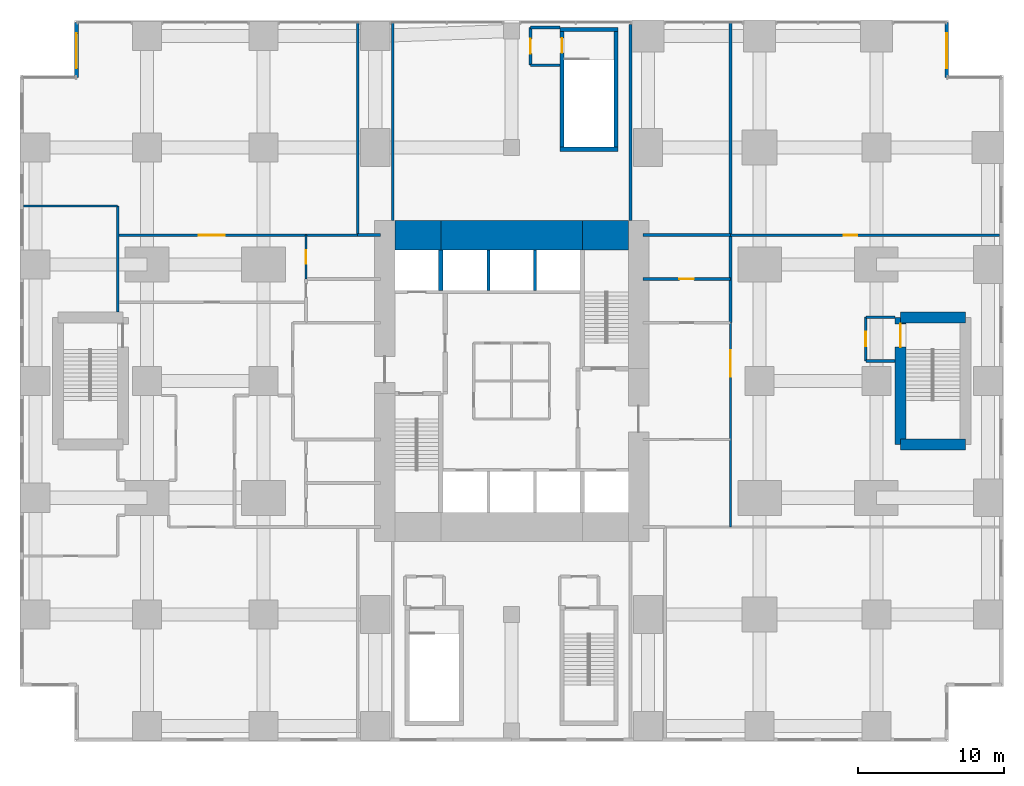
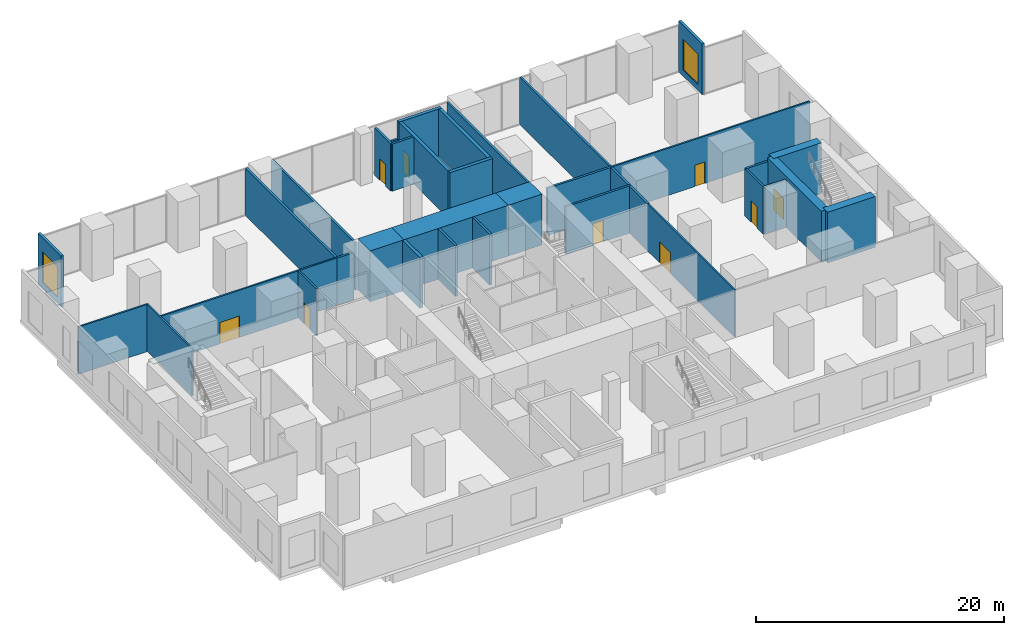
# One storey, part 9 of 11: 34 walls, 9 doors, 2 windows, 11 openings.
"""IFC4 building model written with IfcOpenShell, lengths in metres."""

from ifc_helpers import new_model, si_unit, direction, frame, frame_2d, origin, place, context, subcontext, project, spatial, rectangle, extrude, material, layer, layer_set, type_object, element, fill, save


model = new_model("IFC4")

# Units and contexts
model_context = context("Model", 3, precision=1e-05, world=origin(), true_north=direction((0.0, 1.0)))
body_context = subcontext(model_context, "Body", "Model", "MODEL_VIEW")
ifc_project = project(units=[si_unit("LENGTHUNIT", "METRE"), si_unit("AREAUNIT", "SQUARE_METRE"), si_unit("VOLUMEUNIT", "CUBIC_METRE"), si_unit("PLANEANGLEUNIT", "RADIAN"), si_unit("MASSUNIT", "GRAM", prefix="KILO")], contexts=[model_context])

# Site, building, storey
site_placement = place(None, origin())
site = spatial("IfcSite", under=ifc_project, at=site_placement, CompositionType="ELEMENT")
building_placement = place(site_placement, origin())
building = spatial("IfcBuilding", under=site, at=building_placement, Name="Cleftline Residences", CompositionType="ELEMENT")
storey_placement = place(building_placement, frame((0.0, 0.0, 21.0)))
storey = spatial("IfcBuildingStorey", under=building, at=storey_placement, Name="L04", CompositionType="ELEMENT", Elevation=21.0)

# Walls
ifc_material_1 = material(Name="Concrete B70", Category="concrete")
ifc_layer_1 = layer(ifc_material_1, 2.0)
ifc_layer_set_1 = layer_set([ifc_layer_1], Name="CORE WALL 2000")
wall_type_1 = type_object("IfcWallType", Name="CORE WALL 2000", PredefinedType="SHEAR", material=ifc_layer_set_1)
wall_1_placement = place(storey_placement, frame((25.0, 34.0, 0.0), z_axis=(0.0, 0.0, 1.0), x_axis=(1.0, 0.0, 0.0)))
element("IfcWall", 1, at=wall_1_placement, inside=storey, type_object=wall_type_1, Name="Core wall N1", PredefinedType="SHEAR", context=body_context, shape_type="SweptSolid", body=[
    extrude(rectangle(XDim=3.14990234375, YDim=2.0, at=frame_2d((1.574951171875, 0.0))), origin(), (0.0, 0.0, 1.0), 5.0),
])
wall_2_placement = place(storey_placement, frame((28.14990234375, 34.0, 0.0), z_axis=(0.0, 0.0, 1.0), x_axis=(1.0, 0.0, 0.0)))
element("IfcWall", 2, at=wall_2_placement, inside=storey, type_object=wall_type_1, Name="Core wall N2", PredefinedType="SHEAR", context=body_context, shape_type="SweptSolid", body=[
    extrude(rectangle(XDim=9.7001953125, YDim=2.0, at=frame_2d((4.85009765625, 0.0))), origin(), (0.0, 0.0, 1.0), 5.0),
])
wall_3_placement = place(storey_placement, frame((37.85009765625, 34.0, 0.0), z_axis=(0.0, 0.0, 1.0), x_axis=(1.0, 0.0, 0.0)))
element("IfcWall", 3, at=wall_3_placement, inside=storey, type_object=wall_type_1, Name="Core wall N3", PredefinedType="SHEAR", context=body_context, shape_type="SweptSolid", body=[
    extrude(rectangle(XDim=3.14990234375, YDim=2.0, at=frame_2d((1.574951171875, 0.0))), origin(), (0.0, 0.0, 1.0), 5.0),
])
ifc_material_2 = material(Name="Concrete B70", Category="concrete")
ifc_layer_2 = layer(ifc_material_2, 0.300048828125)
ifc_layer_set_2 = layer_set([ifc_layer_2], Name="CORE WALL 300")
wall_type_2 = type_object("IfcWallType", Name="CORE WALL 300", PredefinedType="SHEAR", material=ifc_layer_set_2)
wall_4_placement = place(storey_placement, frame((28.14990234375, 30.199951171875, 0.0), z_axis=(0.0, 0.0, 1.0), x_axis=(0.0, 1.0, 0.0)))
element("IfcWall", 4, at=wall_4_placement, inside=storey, type_object=wall_type_2, Name="Lift shaft wall", PredefinedType="SHEAR", context=body_context, shape_type="SweptSolid", body=[
    extrude(rectangle(XDim=2.800048828125, YDim=0.300048828125, at=frame_2d((1.39990234375, 0.0))), origin(), (0.0, 0.0, 1.0), 5.0),
])

# Wall, opening, window
ifc_material_3 = material(Name="Rendered reinforced concrete blockwork", Category="masonry")
ifc_layer_3 = layer(ifc_material_3, 0.25)
ifc_layer_set_3 = layer_set([ifc_layer_3], Name="EXTERNAL WALL 250")
wall_type_3 = type_object("IfcWallType", Name="EXTERNAL WALL 250", PredefinedType="SOLIDWALL", material=ifc_layer_set_3)
wall_5_placement = place(storey_placement, frame((62.824951171875, 44.824951171875, 0.0), z_axis=(0.0, 0.0, 1.0), x_axis=(0.0, 1.0, 0.0)))
wall_5 = element("IfcWall", 5, at=wall_5_placement, inside=storey, type_object=wall_type_3, Name="External wall", PredefinedType="SOLIDWALL", context=body_context, shape_type="SweptSolid", body=[
    extrude(rectangle(XDim=3.75, YDim=0.25, at=frame_2d((1.875, 0.0))), origin(), (0.0, 0.0, 1.0), 5.0),
])
opening_1_placement = place(wall_5_placement, frame((0.612548828125, 0.0, 0.60009765625)))
opening_1 = element("IfcOpeningElement", 6, at=opening_1_placement, cuts=wall_5, Name="Opening W3", PredefinedType="OPENING", context=body_context, shape_type="SweptSolid", body=[
    extrude(rectangle(XDim=2.39990234375, YDim=3.0, at=frame_2d((1.199951171875, 1.5))), frame((0.0, 0.135009765625, 0.0), z_axis=(0.0, -1.0, 0.0), x_axis=(1.0, 0.0, 0.0)), (0.0, 0.0, 1.0), 0.27001953125),
])
ifc_material_4 = material(Name="Aluminium frame, clear double glazing", Category="aluminium")
window_type = type_object("IfcWindowType", Name="WINDOW 2400X3000", PartitioningType="DOUBLE_PANEL_VERTICAL", PredefinedType="WINDOW", material=ifc_material_4)
window_1_placement = place(opening_1_placement, origin())
window_1 = element("IfcWindow", 7, at=window_1_placement, inside=storey, type_object=window_type, Name="Window", OverallHeight=3.0, OverallWidth=2.39990234375, PartitioningType="SINGLE_PANEL", PredefinedType="WINDOW", context=body_context, shape_type="SweptSolid", body=[
    extrude(rectangle(XDim=2.39990234375, YDim=3.0, at=frame_2d((1.199951171875, 1.5))), frame((0.0, 0.030029296875, 0.0), z_axis=(0.0, -1.0, 0.0), x_axis=(1.0, 0.0, 0.0)), (0.0, 0.0, 1.0), 0.06005859375),
])
fill(opening_1, window_1)

wall_6_placement = place(storey_placement, frame((3.175048828125, 48.574951171875, 0.0), z_axis=(0.0, 0.0, 1.0), x_axis=(0.0, -1.0, 0.0)))
wall_6 = element("IfcWall", 8, at=wall_6_placement, inside=storey, type_object=wall_type_3, Name="External wall", PredefinedType="SOLIDWALL", context=body_context, shape_type="SweptSolid", body=[
    extrude(rectangle(XDim=3.75, YDim=0.25, at=frame_2d((1.875, 0.0))), origin(), (0.0, 0.0, 1.0), 5.0),
])
opening_2_placement = place(wall_6_placement, frame((0.737548828125, 0.0, 0.60009765625)))
opening_2 = element("IfcOpeningElement", 9, at=opening_2_placement, cuts=wall_6, Name="Opening W3", PredefinedType="OPENING", context=body_context, shape_type="SweptSolid", body=[
    extrude(rectangle(XDim=2.39990234375, YDim=3.0, at=frame_2d((1.199951171875, 1.5))), frame((0.0, 0.135009765625, 0.0), z_axis=(0.0, -1.0, 0.0), x_axis=(1.0, 0.0, 0.0)), (0.0, 0.0, 1.0), 0.27001953125),
])
window_2_placement = place(opening_2_placement, origin())
window_2 = element("IfcWindow", 10, at=window_2_placement, inside=storey, type_object=window_type, Name="Window", OverallHeight=3.0, OverallWidth=2.39990234375, PartitioningType="SINGLE_PANEL", PredefinedType="WINDOW", context=body_context, shape_type="SweptSolid", body=[
    extrude(rectangle(XDim=2.39990234375, YDim=3.0, at=frame_2d((1.199951171875, 1.5))), frame((0.0, 0.030029296875, 0.0), z_axis=(0.0, -1.0, 0.0), x_axis=(1.0, 0.0, 0.0)), (0.0, 0.0, 1.0), 0.06005859375),
])
fill(opening_2, window_2)

# Walls
ifc_material_5 = material(Name="Concrete blockwork, fire rated", Category="masonry")
ifc_layer_4 = layer(ifc_material_5, 0.199951171875)
ifc_layer_set_4 = layer_set([ifc_layer_4], Name="FIRE WALL 200")
wall_type_4 = type_object("IfcWallType", Name="FIRE WALL 200", PredefinedType="PARTITIONING", material=ifc_layer_set_4)
for number, where, z_axis, x_axis, name in (
    (11, (57.27490234375, 25.375, 0.0), (0.0, 0.0, 1.0), (1.0, 0.0, 0.0), "Fire separating wall"),
    (12, (57.27490234375, 28.375, 0.0), (0.0, 0.0, 1.0), (1.0, 0.0, 0.0), "Fire separating wall"),
):
    element("IfcWall", number, at=place(storey_placement, frame(where, z_axis=z_axis, x_axis=x_axis)), inside=storey, type_object=wall_type_4, Name=name, PredefinedType="PARTITIONING", context=body_context, shape_type="SweptSolid", body=[
        extrude(rectangle(XDim=2.0, YDim=0.199951171875, at=frame_2d((1.0, 0.0))), origin(), (0.0, 0.0, 1.0), 4.64990234375),
    ])

# Wall, opening, door
wall_7_placement = place(storey_placement, frame((42.0, 31.0, 0.0), z_axis=(0.0, 0.0, 1.0), x_axis=(1.0, 0.0, 0.0)))
wall_7 = element("IfcWall", 13, at=wall_7_placement, inside=storey, type_object=wall_type_4, Name="Fire separating wall", PredefinedType="PARTITIONING", context=body_context, shape_type="SweptSolid", body=[
    extrude(rectangle(XDim=6.0, YDim=0.199951171875, at=frame_2d((3.0, 0.0))), origin(), (0.0, 0.0, 1.0), 4.64990234375),
])
opening_3_placement = place(wall_7_placement, frame((2.5, 0.0, 0.0)))
opening_3 = element("IfcOpeningElement", 14, at=opening_3_placement, cuts=wall_7, Name="Opening D2F60", PredefinedType="OPENING", context=body_context, shape_type="SweptSolid", body=[
    extrude(rectangle(XDim=1.0, YDim=2.10009765625, at=frame_2d((0.5, 1.050048828125))), frame((0.0, 0.10986328125, 0.0), z_axis=(0.0, -1.0, 0.0), x_axis=(1.0, 0.0, 0.0)), (0.0, 0.0, 1.0), 0.219970703125),
])
ifc_material_6 = material(Name="Timber veneer on solid core", Category="wood")
door_type_1 = type_object("IfcDoorType", Name="DOOR 1000X2100 EI 60", OperationType="SINGLE_SWING_LEFT", PredefinedType="DOOR", material=ifc_material_6)
door_1_placement = place(opening_3_placement, origin())
door_1 = element("IfcDoor", 15, at=door_1_placement, inside=storey, type_object=door_type_1, Name="Door to plant room", OperationType="SINGLE_SWING_LEFT", OverallHeight=2.10009765625, OverallWidth=1.0, PredefinedType="DOOR", context=body_context, shape_type="SweptSolid", body=[
    extrude(rectangle(XDim=1.0, YDim=2.10009765625, at=frame_2d((0.5, 1.050048828125))), frame((0.0, 0.02490234375, 0.0), z_axis=(0.0, -1.0, 0.0), x_axis=(1.0, 0.0, 0.0)), (0.0, 0.0, 1.0), 0.050048828125),
])
fill(opening_3, door_1)

# Walls
wall_8_placement = place(storey_placement, frame((22.449951171875, 34.0, 0.0), z_axis=(0.0, 0.0, 1.0), x_axis=(1.0, 0.0, 0.0)))
element("IfcWall", 16, at=wall_8_placement, inside=storey, type_object=wall_type_4, Name="Fire separating wall", PredefinedType="PARTITIONING", context=body_context, shape_type="SweptSolid", body=[
    extrude(rectangle(XDim=1.550048828125, YDim=0.199951171875, at=frame_2d((0.77490234375, 0.0))), origin(), (0.0, 0.0, 1.0), 4.64990234375),
])
wall_9_placement = place(storey_placement, frame((42.0, 34.0, 0.0), z_axis=(0.0, 0.0, 1.0), x_axis=(1.0, 0.0, 0.0)))
element("IfcWall", 17, at=wall_9_placement, inside=storey, type_object=wall_type_4, Name="Fire separating wall", PredefinedType="PARTITIONING", context=body_context, shape_type="SweptSolid", body=[
    extrude(rectangle(XDim=6.0, YDim=0.199951171875, at=frame_2d((3.0, 0.0))), origin(), (0.0, 0.0, 1.0), 4.64990234375),
])
wall_10_placement = place(storey_placement, frame((34.300048828125, 45.64990234375, 0.0), z_axis=(0.0, 0.0, 1.0), x_axis=(1.0, 0.0, 0.0)))
element("IfcWall", 18, at=wall_10_placement, inside=storey, type_object=wall_type_4, Name="Fire separating wall", PredefinedType="PARTITIONING", context=body_context, shape_type="SweptSolid", body=[
    extrude(rectangle(XDim=2.0, YDim=0.199951171875, at=frame_2d((1.0, 0.0))), origin(), (0.0, 0.0, 1.0), 4.64990234375),
])
wall_11_placement = place(storey_placement, frame((34.300048828125, 48.25, 0.0), z_axis=(0.0, 0.0, 1.0), x_axis=(1.0, 0.0, 0.0)))
element("IfcWall", 19, at=wall_11_placement, inside=storey, type_object=wall_type_4, Name="Fire separating wall", PredefinedType="PARTITIONING", context=body_context, shape_type="SweptSolid", body=[
    extrude(rectangle(XDim=2.0, YDim=0.199951171875, at=frame_2d((1.0, 0.0))), origin(), (0.0, 0.0, 1.0), 2.85009765625),
])
wall_12_placement = place(storey_placement, frame((22.449951171875, 34.0, 0.0), z_axis=(0.0, 0.0, 1.0), x_axis=(0.0, 1.0, 0.0)))
element("IfcWall", 20, at=wall_12_placement, inside=storey, type_object=wall_type_4, Name="Fire separating wall", PredefinedType="PARTITIONING", context=body_context, shape_type="SweptSolid", body=[
    extrude(rectangle(XDim=14.56103515625, YDim=0.199951171875, at=frame_2d((7.280517578125, 0.0))), origin(), (0.0, 0.0, 1.0), 4.64990234375),
])
wall_13_placement = place(storey_placement, frame((24.85009765625, 35.0, 0.0), z_axis=(0.0, 0.0, 1.0), x_axis=(0.0, 1.0, 0.0)))
element("IfcWall", 21, at=wall_13_placement, inside=storey, type_object=wall_type_4, Name="Fire separating wall", PredefinedType="PARTITIONING", context=body_context, shape_type="SweptSolid", body=[
    extrude(rectangle(XDim=13.56103515625, YDim=0.199951171875, at=frame_2d((6.780517578125, 0.0))), origin(), (0.0, 0.0, 1.0), 4.64990234375),
])

# Wall, opening, door
wall_14_placement = place(storey_placement, frame((34.300048828125, 45.64990234375, 0.0), z_axis=(0.0, 0.0, 1.0), x_axis=(0.0, 1.0, 0.0)))
wall_14 = element("IfcWall", 22, at=wall_14_placement, inside=storey, type_object=wall_type_4, Name="Fire separating wall", PredefinedType="PARTITIONING", context=body_context, shape_type="SweptSolid", body=[
    extrude(rectangle(XDim=2.60009765625, YDim=0.199951171875, at=frame_2d((1.300048828125, 0.0))), origin(), (0.0, 0.0, 1.0), 4.64990234375),
])
opening_4_placement = place(wall_14_placement, frame((0.800048828125, 0.0, 0.0)))
opening_4 = element("IfcOpeningElement", 23, at=opening_4_placement, cuts=wall_14, Name="Opening D2F60", PredefinedType="OPENING", context=body_context, shape_type="SweptSolid", body=[
    extrude(rectangle(XDim=1.0, YDim=2.10009765625, at=frame_2d((0.5, 1.050048828125))), frame((0.0, 0.10986328125, 0.0), z_axis=(0.0, -1.0, 0.0), x_axis=(1.0, 0.0, 0.0)), (0.0, 0.0, 1.0), 0.219970703125),
])
door_2_placement = place(opening_4_placement, origin())
door_2 = element("IfcDoor", 24, at=door_2_placement, inside=storey, type_object=door_type_1, Name="Door to stair d lobby", OperationType="SINGLE_SWING_LEFT", OverallHeight=2.10009765625, OverallWidth=1.0, PredefinedType="DOOR", context=body_context, shape_type="SweptSolid", body=[
    extrude(rectangle(XDim=1.0, YDim=2.10009765625, at=frame_2d((0.5, 1.050048828125))), frame((0.0, 0.02490234375, 0.0), z_axis=(0.0, -1.0, 0.0), x_axis=(1.0, 0.0, 0.0)), (0.0, 0.0, 1.0), 0.050048828125),
])
fill(opening_4, door_2)

# Walls
wall_15_placement = place(storey_placement, frame((41.14990234375, 35.0, 0.0), z_axis=(0.0, 0.0, 1.0), x_axis=(0.0, 1.0, 0.0)))
element("IfcWall", 25, at=wall_15_placement, inside=storey, type_object=wall_type_4, Name="Fire separating wall", PredefinedType="PARTITIONING", context=body_context, shape_type="SweptSolid", body=[
    extrude(rectangle(XDim=13.449951171875, YDim=0.199951171875, at=frame_2d((6.72509765625, 0.0))), origin(), (0.0, 0.0, 1.0), 4.64990234375),
])
wall_16_placement = place(storey_placement, frame((48.0, 28.0, 0.0), z_axis=(0.0, 0.0, 1.0), x_axis=(0.0, 1.0, 0.0)))
element("IfcWall", 26, at=wall_16_placement, inside=storey, type_object=wall_type_4, Name="Fire separating wall", PredefinedType="PARTITIONING", context=body_context, shape_type="SweptSolid", body=[
    extrude(rectangle(XDim=20.56103515625, YDim=0.199951171875, at=frame_2d((10.280517578125, 0.0))), origin(), (0.0, 0.0, 1.0), 4.64990234375),
])

# Wall, opening, door
wall_17_placement = place(storey_placement, frame((57.27490234375, 25.375, 0.0), z_axis=(0.0, 0.0, 1.0), x_axis=(0.0, 1.0, 0.0)))
wall_17 = element("IfcWall", 27, at=wall_17_placement, inside=storey, type_object=wall_type_4, Name="Fire separating wall", PredefinedType="PARTITIONING", context=body_context, shape_type="SweptSolid", body=[
    extrude(rectangle(XDim=3.0, YDim=0.199951171875, at=frame_2d((1.5, 0.0))), origin(), (0.0, 0.0, 1.0), 4.64990234375),
])
opening_5_placement = place(wall_17_placement, frame((1.0, 0.0, 0.0)))
opening_5 = element("IfcOpeningElement", 28, at=opening_5_placement, cuts=wall_17, Name="Opening D2F60", PredefinedType="OPENING", context=body_context, shape_type="SweptSolid", body=[
    extrude(rectangle(XDim=1.0, YDim=2.10009765625, at=frame_2d((0.5, 1.050048828125))), frame((0.0, 0.10986328125, 0.0), z_axis=(0.0, -1.0, 0.0), x_axis=(1.0, 0.0, 0.0)), (0.0, 0.0, 1.0), 0.219970703125),
])
door_3_placement = place(opening_5_placement, origin())
door_3 = element("IfcDoor", 29, at=door_3_placement, inside=storey, type_object=door_type_1, Name="Door to stair e lobby", OperationType="SINGLE_SWING_LEFT", OverallHeight=2.10009765625, OverallWidth=1.0, PredefinedType="DOOR", context=body_context, shape_type="SweptSolid", body=[
    extrude(rectangle(XDim=1.0, YDim=2.10009765625, at=frame_2d((0.5, 1.050048828125))), frame((0.0, 0.02490234375, 0.0), z_axis=(0.0, -1.0, 0.0), x_axis=(1.0, 0.0, 0.0)), (0.0, 0.0, 1.0), 0.050048828125),
])
fill(opening_5, door_3)

ifc_material_7 = material(Name="Gypsum board on steel studs", Category="steel")
ifc_layer_5 = layer(ifc_material_7, 0.14990234375)
ifc_layer_set_5 = layer_set([ifc_layer_5], Name="PARTITION 150")
wall_type_5 = type_object("IfcWallType", Name="PARTITION 150", PredefinedType="PARTITIONING", material=ifc_layer_set_5)
wall_18_placement = place(storey_placement, frame((6.0, 34.0, 0.0), z_axis=(0.0, 0.0, 1.0), x_axis=(1.0, 0.0, 0.0)))
wall_18 = element("IfcWall", 30, at=wall_18_placement, inside=storey, type_object=wall_type_5, Name="Partition", PredefinedType="PARTITIONING", context=body_context, shape_type="SweptSolid", body=[
    extrude(rectangle(XDim=16.449951171875, YDim=0.14990234375, at=frame_2d((8.22509765625, 0.0))), origin(), (0.0, 0.0, 1.0), 4.64990234375),
])
opening_6_placement = place(wall_18_placement, frame((5.550048828125, 0.0, 0.0)))
opening_6 = element("IfcOpeningElement", 31, at=opening_6_placement, cuts=wall_18, Name="Opening D3", PredefinedType="OPENING", context=body_context, shape_type="SweptSolid", body=[
    extrude(rectangle(XDim=1.800048828125, YDim=2.10009765625, at=frame_2d((0.89990234375, 1.050048828125))), frame((0.0, 0.0849609375, 0.0), z_axis=(0.0, -1.0, 0.0), x_axis=(1.0, 0.0, 0.0)), (0.0, 0.0, 1.0), 0.169921875),
])
ifc_material_8 = material(Name="Timber veneer on solid core", Category="wood")
door_type_2 = type_object("IfcDoorType", Name="DOUBLE DOOR 1800X2100", OperationType="DOUBLE_DOOR_DOUBLE_SWING", PredefinedType="DOOR", material=ifc_material_8)
door_4_placement = place(opening_6_placement, origin())
door_4 = element("IfcDoor", 32, at=door_4_placement, inside=storey, type_object=door_type_2, Name="Door to meeting lounge", OperationType="DOUBLE_DOOR_DOUBLE_SWING", OverallHeight=2.10009765625, OverallWidth=1.800048828125, PredefinedType="DOOR", context=body_context, shape_type="SweptSolid", body=[
    extrude(rectangle(XDim=1.800048828125, YDim=2.10009765625, at=frame_2d((0.89990234375, 1.050048828125))), frame((0.0, 0.02490234375, 0.0), z_axis=(0.0, -1.0, 0.0), x_axis=(1.0, 0.0, 0.0)), (0.0, 0.0, 1.0), 0.050048828125),
])
fill(opening_6, door_4)

wall_19_placement = place(storey_placement, frame((48.0, 34.0, 0.0), z_axis=(0.0, 0.0, 1.0), x_axis=(1.0, 0.0, 0.0)))
wall_19 = element("IfcWall", 33, at=wall_19_placement, inside=storey, type_object=wall_type_5, Name="Partition", PredefinedType="PARTITIONING", context=body_context, shape_type="SweptSolid", body=[
    extrude(rectangle(XDim=18.449951171875, YDim=0.14990234375, at=frame_2d((9.22509765625, 0.0))), origin(), (0.0, 0.0, 1.0), 4.64990234375),
])
opening_7_placement = place(wall_19_placement, frame((7.77490234375, 0.0, 0.0)))
opening_7 = element("IfcOpeningElement", 34, at=opening_7_placement, cuts=wall_19, Name="Opening D1", PredefinedType="OPENING", context=body_context, shape_type="SweptSolid", body=[
    extrude(rectangle(XDim=0.89990234375, YDim=2.10009765625, at=frame_2d((0.449951171875, 1.050048828125))), frame((0.0, 0.0849609375, 0.0), z_axis=(0.0, -1.0, 0.0), x_axis=(1.0, 0.0, 0.0)), (0.0, 0.0, 1.0), 0.169921875),
])
ifc_material_9 = material(Name="Timber veneer on solid core", Category="wood")
door_type_3 = type_object("IfcDoorType", Name="DOOR 900X2100", OperationType="SINGLE_SWING_LEFT", PredefinedType="DOOR", material=ifc_material_9)
door_5_placement = place(opening_7_placement, origin())
door_5 = element("IfcDoor", 35, at=door_5_placement, inside=storey, type_object=door_type_3, Name="Door to event store", OperationType="SINGLE_SWING_RIGHT", OverallHeight=2.10009765625, OverallWidth=0.89990234375, PredefinedType="DOOR", context=body_context, shape_type="SweptSolid", body=[
    extrude(rectangle(XDim=0.89990234375, YDim=2.10009765625, at=frame_2d((0.449951171875, 1.050048828125))), frame((0.0, 0.02490234375, 0.0), z_axis=(0.0, -1.0, 0.0), x_axis=(1.0, 0.0, 0.0)), (0.0, 0.0, 1.0), 0.050048828125),
])
fill(opening_7, door_5)

# Walls
wall_20_placement = place(storey_placement, frame((-0.449951171875, 36.0, 0.0), z_axis=(0.0, 0.0, 1.0), x_axis=(1.0, 0.0, 0.0)))
element("IfcWall", 36, at=wall_20_placement, inside=storey, type_object=wall_type_5, Name="Partition", PredefinedType="PARTITIONING", context=body_context, shape_type="SweptSolid", body=[
    extrude(rectangle(XDim=6.449951171875, YDim=0.14990234375, at=frame_2d((3.22509765625, 0.0))), origin(), (0.0, 0.0, 1.0), 4.64990234375),
])
wall_21_placement = place(storey_placement, frame((6.0, 28.72509765625, 0.0), z_axis=(0.0, 0.0, 1.0), x_axis=(0.0, 1.0, 0.0)))
element("IfcWall", 37, at=wall_21_placement, inside=storey, type_object=wall_type_5, Name="Partition", PredefinedType="PARTITIONING", context=body_context, shape_type="SweptSolid", body=[
    extrude(rectangle(XDim=7.27490234375, YDim=0.14990234375, at=frame_2d((3.637451171875, 0.0))), origin(), (0.0, 0.0, 1.0), 4.64990234375),
])

# Wall, opening, door
wall_22_placement = place(storey_placement, frame((18.89990234375, 31.0, 0.0), z_axis=(0.0, 0.0, 1.0), x_axis=(0.0, 1.0, 0.0)))
wall_22 = element("IfcWall", 38, at=wall_22_placement, inside=storey, type_object=wall_type_5, Name="Partition", PredefinedType="PARTITIONING", context=body_context, shape_type="SweptSolid", body=[
    extrude(rectangle(XDim=3.0, YDim=0.14990234375, at=frame_2d((1.5, 0.0))), origin(), (0.0, 0.0, 1.0), 4.64990234375),
])
opening_8_placement = place(wall_22_placement, frame((1.050048828125, 0.0, 0.0)))
opening_8 = element("IfcOpeningElement", 39, at=opening_8_placement, cuts=wall_22, Name="Opening D1", PredefinedType="OPENING", context=body_context, shape_type="SweptSolid", body=[
    extrude(rectangle(XDim=0.89990234375, YDim=2.10009765625, at=frame_2d((0.449951171875, 1.050048828125))), frame((0.0, 0.0849609375, 0.0), z_axis=(0.0, -1.0, 0.0), x_axis=(1.0, 0.0, 0.0)), (0.0, 0.0, 1.0), 0.169921875),
])
door_6_placement = place(opening_8_placement, origin())
door_6 = element("IfcDoor", 40, at=door_6_placement, inside=storey, type_object=door_type_3, Name="Door to cleaner's store", OperationType="SINGLE_SWING_LEFT", OverallHeight=2.10009765625, OverallWidth=0.89990234375, PredefinedType="DOOR", context=body_context, shape_type="SweptSolid", body=[
    extrude(rectangle(XDim=0.89990234375, YDim=2.10009765625, at=frame_2d((0.449951171875, 1.050048828125))), frame((0.0, 0.02490234375, 0.0), z_axis=(0.0, -1.0, 0.0), x_axis=(1.0, 0.0, 0.0)), (0.0, 0.0, 1.0), 0.050048828125),
])
fill(opening_8, door_6)

wall_23_placement = place(storey_placement, frame((48.0, 14.0, 0.0), z_axis=(0.0, 0.0, 1.0), x_axis=(0.0, 1.0, 0.0)))
wall_23 = element("IfcWall", 41, at=wall_23_placement, inside=storey, type_object=wall_type_5, Name="Partition", PredefinedType="PARTITIONING", context=body_context, shape_type="SweptSolid", body=[
    extrude(rectangle(XDim=14.0, YDim=0.14990234375, at=frame_2d((7.0, 0.0))), origin(), (0.0, 0.0, 1.0), 4.64990234375),
])
opening_9_placement = place(wall_23_placement, frame((10.300048828125, 0.0, 0.0)))
opening_9 = element("IfcOpeningElement", 42, at=opening_9_placement, cuts=wall_23, Name="Opening D3F30", PredefinedType="OPENING", context=body_context, shape_type="SweptSolid", body=[
    extrude(rectangle(XDim=1.800048828125, YDim=2.10009765625, at=frame_2d((0.89990234375, 1.050048828125))), frame((0.0, 0.0849609375, 0.0), z_axis=(0.0, -1.0, 0.0), x_axis=(1.0, 0.0, 0.0)), (0.0, 0.0, 1.0), 0.169921875),
])
ifc_material_10 = material(Name="Timber veneer on solid core", Category="wood")
door_type_4 = type_object("IfcDoorType", Name="DOUBLE DOOR 1800X2100 EI 30", OperationType="DOUBLE_DOOR_DOUBLE_SWING", PredefinedType="DOOR", material=ifc_material_10)
door_7_placement = place(opening_9_placement, origin())
door_7 = element("IfcDoor", 43, at=door_7_placement, inside=storey, type_object=door_type_4, Name="Door to pre-function foyer", OperationType="DOUBLE_DOOR_DOUBLE_SWING", OverallHeight=2.10009765625, OverallWidth=1.800048828125, PredefinedType="DOOR", context=body_context, shape_type="SweptSolid", body=[
    extrude(rectangle(XDim=1.800048828125, YDim=2.10009765625, at=frame_2d((0.89990234375, 1.050048828125))), frame((0.0, 0.02490234375, 0.0), z_axis=(0.0, -1.0, 0.0), x_axis=(1.0, 0.0, 0.0)), (0.0, 0.0, 1.0), 0.050048828125),
])
fill(opening_9, door_7)

# Walls
ifc_material_11 = material(Name="Concrete blockwork, fire rated", Category="masonry")
ifc_layer_6 = layer(ifc_material_11, 0.199951171875)
ifc_layer_set_6 = layer_set([ifc_layer_6], Name="SHAFT WALL 200")
wall_type_6 = type_object("IfcWallType", Name="SHAFT WALL 200", PredefinedType="PARTITIONING", material=ifc_layer_set_6)
for number, where, z_axis, x_axis, name in (
    (44, (31.39990234375, 30.199951171875, 0.0), (0.0, 0.0, 1.0), (0.0, 1.0, 0.0), "Lift shaft wall"),
    (45, (34.60009765625, 30.199951171875, 0.0), (0.0, 0.0, 1.0), (0.0, 1.0, 0.0), "Lift shaft wall"),
):
    element("IfcWall", number, at=place(storey_placement, frame(where, z_axis=z_axis, x_axis=x_axis)), inside=storey, type_object=wall_type_6, Name=name, PredefinedType="PARTITIONING", context=body_context, shape_type="SweptSolid", body=[
        extrude(rectangle(XDim=2.800048828125, YDim=0.199951171875, at=frame_2d((1.39990234375, 0.0))), origin(), (0.0, 0.0, 1.0), 5.0),
    ])
ifc_material_12 = material(Name="Concrete B70", Category="concrete")
ifc_layer_7 = layer(ifc_material_12, 0.75)
ifc_layer_set_7 = layer_set([ifc_layer_7], Name="SHEAR WALL 750")
wall_type_7 = type_object("IfcWallType", Name="SHEAR WALL 750", PredefinedType="SHEAR", material=ifc_layer_set_7)
for number, where, z_axis, x_axis, name in (
    (46, (59.64990234375, 19.64990234375, 0.0), (0.0, 0.0, 1.0), (1.0, 0.0, 0.0), "Wing shear wall"),
    (47, (64.10009765625, 28.35009765625, 0.0), (0.0, 0.0, 1.0), (-1.0, 0.0, 0.0), "Wing shear wall"),
):
    element("IfcWall", number, at=place(storey_placement, frame(where, z_axis=z_axis, x_axis=x_axis)), inside=storey, type_object=wall_type_7, Name=name, PredefinedType="SHEAR", context=body_context, shape_type="SweptSolid", body=[
        extrude(rectangle(XDim=4.4501953125, YDim=0.75, at=frame_2d((2.22509765625, 0.0))), origin(), (0.0, 0.0, 1.0), 5.0),
    ])

# Wall, opening, door
wall_24_placement = place(storey_placement, frame((59.64990234375, 28.35009765625, 0.0), z_axis=(0.0, 0.0, 1.0), x_axis=(0.0, -1.0, 0.0)))
wall_24 = element("IfcWall", 48, at=wall_24_placement, inside=storey, type_object=wall_type_7, Name="Wing shear wall", PredefinedType="SHEAR", context=body_context, shape_type="SweptSolid", body=[
    extrude(rectangle(XDim=8.7001953125, YDim=0.75, at=frame_2d((4.35009765625, 0.0))), origin(), (0.0, 0.0, 1.0), 5.0),
])
opening_10_placement = place(wall_24_placement, frame((0.425048828125, 0.0, 0.0)))
opening_10 = element("IfcOpeningElement", 49, at=opening_10_placement, cuts=wall_24, Name="Opening D9", PredefinedType="OPENING", context=body_context, shape_type="SweptSolid", body=[
    extrude(rectangle(XDim=1.60009765625, YDim=2.10009765625, at=frame_2d((0.800048828125, 1.050048828125))), frame((0.0, 0.385009765625, 0.0), z_axis=(0.0, -1.0, 0.0), x_axis=(1.0, 0.0, 0.0)), (0.0, 0.0, 1.0), 0.77001953125),
])
ifc_material_13 = material(Name="Steel", Category="steel")
door_type_5 = type_object("IfcDoorType", Name="STAIR DOOR 1600X2100", OperationType="DOUBLE_DOOR_SINGLE_SWING", PredefinedType="DOOR", material=ifc_material_13)
door_8_placement = place(opening_10_placement, origin())
door_8 = element("IfcDoor", 50, at=door_8_placement, inside=storey, type_object=door_type_5, Name="Stair E door", OperationType="DOUBLE_DOOR_SINGLE_SWING", OverallHeight=2.10009765625, OverallWidth=1.60009765625, PredefinedType="DOOR", context=body_context, shape_type="SweptSolid", body=[
    extrude(rectangle(XDim=1.60009765625, YDim=2.10009765625, at=frame_2d((0.800048828125, 1.050048828125))), frame((0.0, 0.02490234375, 0.0), z_axis=(0.0, -1.0, 0.0), x_axis=(1.0, 0.0, 0.0)), (0.0, 0.0, 1.0), 0.050048828125),
])
fill(opening_10, door_8)

# Walls
ifc_material_14 = material(Name="Concrete blockwork, fire rated", Category="masonry")
ifc_layer_8 = layer(ifc_material_14, 0.300048828125)
ifc_layer_set_8 = layer_set([ifc_layer_8], Name="STAIR ENCLOSURE WALL 300")
wall_type_8 = type_object("IfcWallType", Name="STAIR ENCLOSURE WALL 300", PredefinedType="PARTITIONING", material=ifc_layer_set_8)
for number, where, z_axis, x_axis, name in (
    (51, (36.300048828125, 39.89990234375, 0.0), (0.0, 0.0, 1.0), (1.0, 0.0, 0.0), "Stair D enclosure"),
    (52, (36.300048828125, 48.10009765625, 0.0), (0.0, 0.0, 1.0), (1.0, 0.0, 0.0), "Stair D enclosure"),
):
    element("IfcWall", number, at=place(storey_placement, frame(where, z_axis=z_axis, x_axis=x_axis)), inside=storey, type_object=wall_type_8, Name=name, PredefinedType="PARTITIONING", context=body_context, shape_type="SweptSolid", body=[
        extrude(rectangle(XDim=4.0, YDim=0.300048828125, at=frame_2d((2.0, 0.0))), origin(), (0.0, 0.0, 1.0), 4.64990234375),
    ])

# Wall, opening, door
wall_25_placement = place(storey_placement, frame((36.449951171875, 40.050048828125, 0.0), z_axis=(0.0, 0.0, 1.0), x_axis=(0.0, 1.0, 0.0)))
wall_25 = element("IfcWall", 53, at=wall_25_placement, inside=storey, type_object=wall_type_8, Name="Stair D enclosure", PredefinedType="PARTITIONING", context=body_context, shape_type="SweptSolid", body=[
    extrude(rectangle(XDim=7.89990234375, YDim=0.300048828125, at=frame_2d((3.949951171875, 0.0))), origin(), (0.0, 0.0, 1.0), 4.64990234375),
])
opening_11_placement = place(wall_25_placement, frame((6.449951171875, 0.0, 0.0)))
opening_11 = element("IfcOpeningElement", 54, at=opening_11_placement, cuts=wall_25, Name="Opening D5", PredefinedType="OPENING", context=body_context, shape_type="SweptSolid", body=[
    extrude(rectangle(XDim=1.0, YDim=2.10009765625, at=frame_2d((0.5, 1.050048828125))), frame((0.0, 0.159912109375, 0.0), z_axis=(0.0, -1.0, 0.0), x_axis=(1.0, 0.0, 0.0)), (0.0, 0.0, 1.0), 0.320068359375),
])
ifc_material_15 = material(Name="Steel", Category="steel")
door_type_6 = type_object("IfcDoorType", Name="STAIR DOOR 1000X2100", OperationType="SINGLE_SWING_LEFT", PredefinedType="DOOR", material=ifc_material_15)
door_9_placement = place(opening_11_placement, origin())
door_9 = element("IfcDoor", 55, at=door_9_placement, inside=storey, type_object=door_type_6, Name="Stair D door", OperationType="SINGLE_SWING_LEFT", OverallHeight=2.10009765625, OverallWidth=1.0, PredefinedType="DOOR", context=body_context, shape_type="SweptSolid", body=[
    extrude(rectangle(XDim=1.0, YDim=2.10009765625, at=frame_2d((0.5, 1.050048828125))), frame((0.0, 0.02490234375, 0.0), z_axis=(0.0, -1.0, 0.0), x_axis=(1.0, 0.0, 0.0)), (0.0, 0.0, 1.0), 0.050048828125),
])
fill(opening_11, door_9)

# Wall
wall_26_placement = place(storey_placement, frame((40.14990234375, 40.050048828125, 0.0), z_axis=(0.0, 0.0, 1.0), x_axis=(0.0, 1.0, 0.0)))
element("IfcWall", 56, at=wall_26_placement, inside=storey, type_object=wall_type_8, Name="Stair D enclosure", PredefinedType="PARTITIONING", context=body_context, shape_type="SweptSolid", body=[
    extrude(rectangle(XDim=7.89990234375, YDim=0.300048828125, at=frame_2d((3.949951171875, 0.0))), origin(), (0.0, 0.0, 1.0), 4.64990234375),
])

save(model, "model.ifc")
